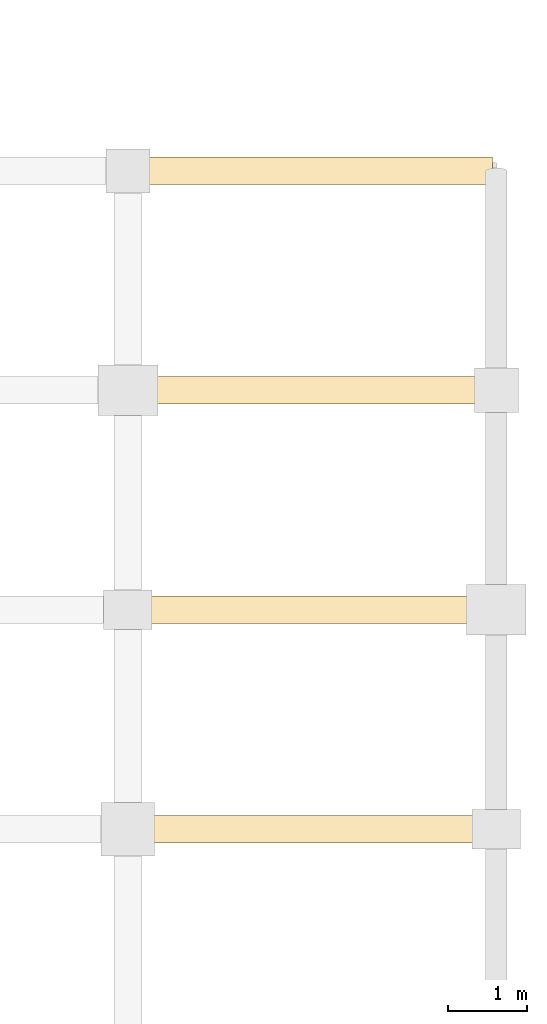
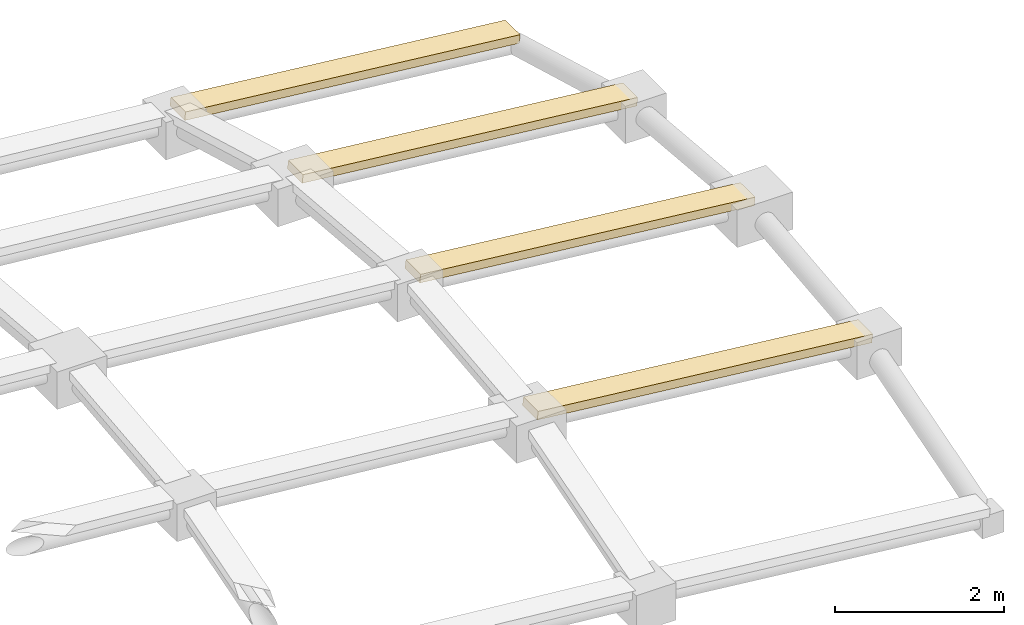
# One storey, part 36 of 36: 4 coverings.
"""IFC4 building model written with IfcOpenShell, lengths in metres."""

from ifc_helpers import new_model, si_unit, direction, frame, origin, place, context, subcontext, project, spatial, polyline, outline, extrude, material, layer, layer_set, type_object, element, save


model = new_model("IFC4")

# Units and contexts
model_context = context("Model", 3, precision=1e-05, world=origin(), true_north=direction((0.0, 1.0)))
body_context = subcontext(model_context, "Body", "Model", "MODEL_VIEW")
ifc_project = project(units=[si_unit("LENGTHUNIT", "METRE"), si_unit("AREAUNIT", "SQUARE_METRE"), si_unit("VOLUMEUNIT", "CUBIC_METRE"), si_unit("PLANEANGLEUNIT", "RADIAN"), si_unit("MASSUNIT", "GRAM", prefix="KILO")], contexts=[model_context])

# Site, building, storey
site_placement = place(None, origin())
site = spatial("IfcSite", under=ifc_project, at=site_placement, CompositionType="ELEMENT")
building_placement = place(site_placement, origin())
building = spatial("IfcBuilding", under=site, at=building_placement, Name="Quillay Park Conservatory", CompositionType="ELEMENT")
storey_placement = place(building_placement, frame((0.0, 0.0, 18.300048828125)))
storey = spatial("IfcBuildingStorey", under=building, at=storey_placement, Name="L04", CompositionType="ELEMENT", Elevation=18.300048828125)

# Coverings
ifc_material = material(Name="Thermally Broken Anodised Aluminium 6063-T6", Category="aluminium")
ifc_layer = layer(ifc_material, 0.090087890625)
ifc_layer_set = layer_set([ifc_layer], Name="GRIDSHELL GLAZING CAP BAR 90 (Thermally Broken Anodised Aluminium 6063-T6)")
covering_type = type_object("IfcCoveringType", Name="GRIDSHELL GLAZING CAP BAR 90", PredefinedType="CLADDING", material=ifc_layer_set)
covering_1_placement = place(storey_placement, frame((110.22216796875, 96.514892578125, 1.36669921875), z_axis=(0.105220344611, 0.0, 0.994448932364), x_axis=(0.994448932364, 0.0, -0.105220344611)))
element("IfcCovering", 1, at=covering_1_placement, inside=storey, type_object=covering_type, Name="Gridshell Longitudinal Glazing Cap Bar 17-04", PredefinedType="CLADDING", context=body_context, shape_type="SweptSolid", body=[
    extrude(outline(polyline([(0.0, 0.0), (4.603434837516112, 0.0), (4.603434837516112, 0.35009765625), (0.0, 0.35009765625), (0.0, 0.0)])), origin(), (0.0, 0.0, -1.0), 0.1201171875),
])
covering_2_placement = place(storey_placement, frame((110.22216796875, 99.300048828125, 1.65966796875), z_axis=(0.105220344611, 0.0, 0.994448932364), x_axis=(0.994448932364, 0.0, -0.105220344611)))
element("IfcCovering", 2, at=covering_2_placement, inside=storey, type_object=covering_type, Name="Gridshell Longitudinal Glazing Cap Bar 17-05", PredefinedType="CLADDING", context=body_context, shape_type="SweptSolid", body=[
    extrude(outline(polyline([(0.0, 0.0), (4.603434837516112, 0.0), (4.603434837516112, 0.349853515625), (0.0, 0.349853515625), (0.0, 0.0)])), origin(), (0.0, 0.0, -1.0), 0.1201171875),
])
covering_3_placement = place(storey_placement, frame((110.22216796875, 102.0849609375, 1.41357421875), z_axis=(0.105220344611, 0.0, 0.994448932364), x_axis=(0.994448932364, 0.0, -0.105220344611)))
element("IfcCovering", 3, at=covering_3_placement, inside=storey, type_object=covering_type, Name="Gridshell Longitudinal Glazing Cap Bar 17-06", PredefinedType="CLADDING", context=body_context, shape_type="SweptSolid", body=[
    extrude(outline(polyline([(0.0, 0.0), (4.603434837516112, 0.0), (4.603434837516112, 0.35009765625), (0.0, 0.35009765625), (0.0, 0.0)])), origin(), (0.0, 0.0, -1.0), 0.1201171875),
])
covering_4_placement = place(storey_placement, frame((110.22216796875, 104.8701171875, 0.63232421875), z_axis=(0.105220344611, 0.0, 0.994448932364), x_axis=(0.994448932364, 0.0, -0.105220344611)))
element("IfcCovering", 4, at=covering_4_placement, inside=storey, type_object=covering_type, Name="Gridshell Longitudinal Glazing Cap Bar 17-07", PredefinedType="CLADDING", context=body_context, shape_type="SweptSolid", body=[
    extrude(outline(polyline([(0.0, 0.0), (4.603434837516112, 0.0), (4.603434837516112, 0.349853515625), (0.0, 0.349853515625), (0.0, 0.0)])), origin(), (0.0, 0.0, -1.0), 0.1201171875),
])

save(model, "model.ifc")
